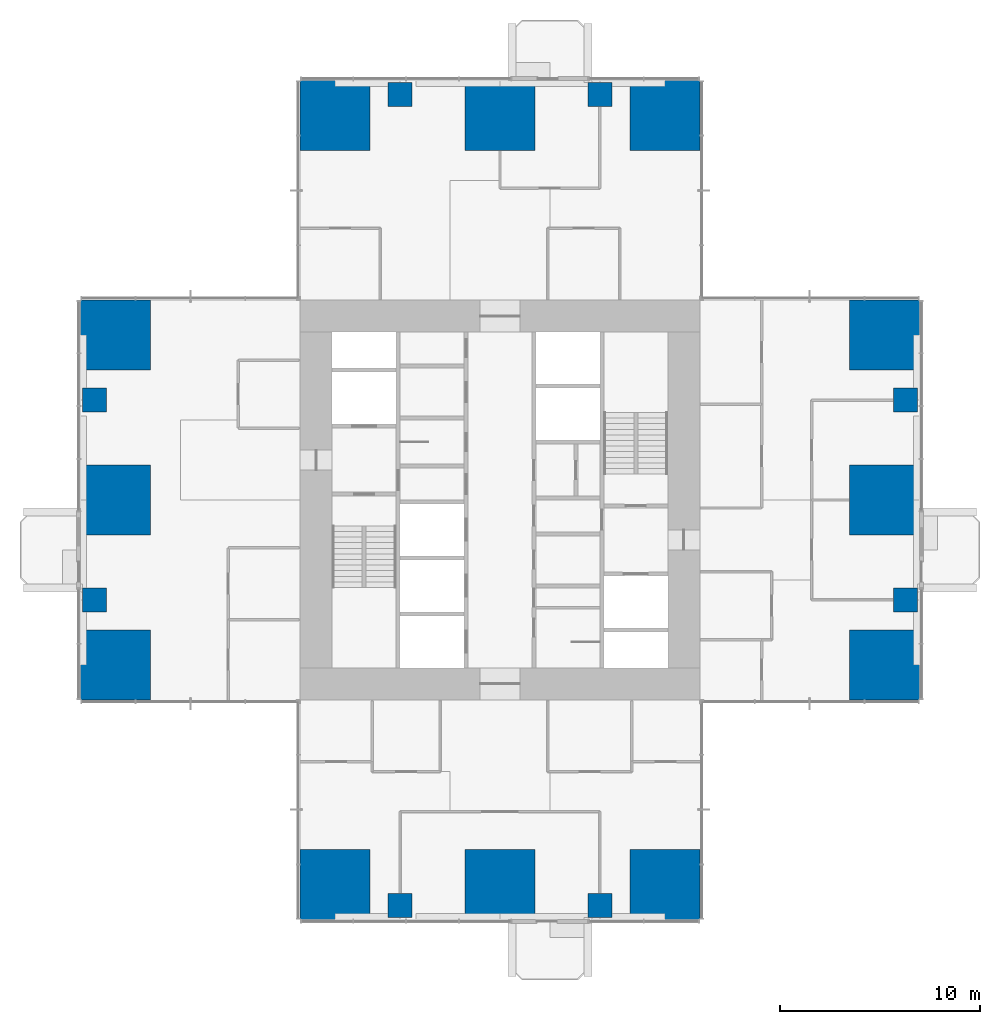
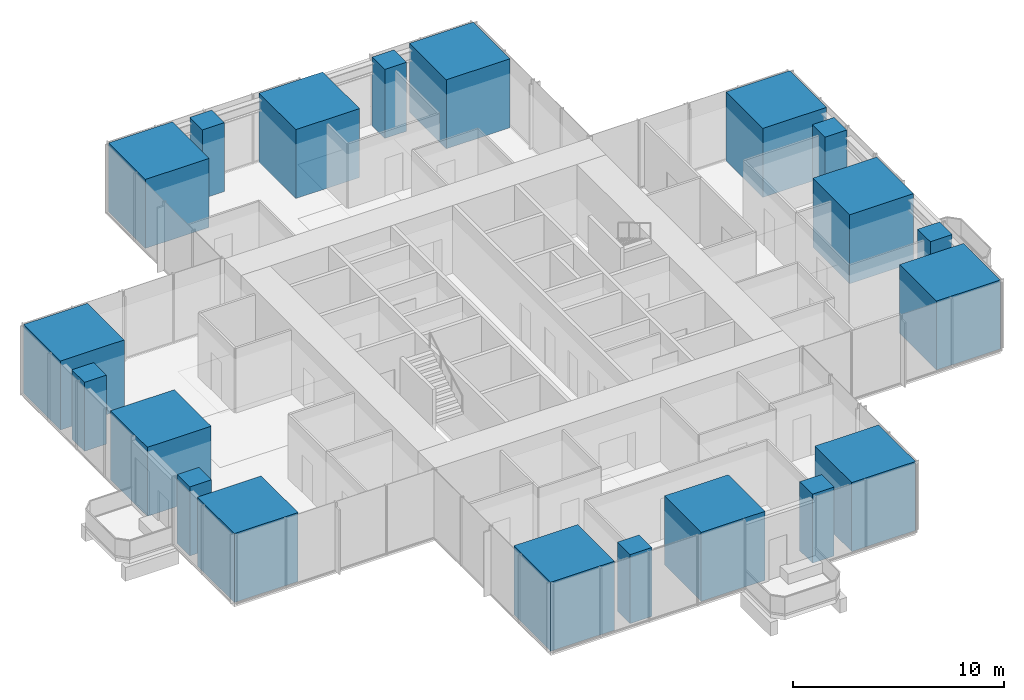
# One storey, part 1 of 13: 20 columns.
"""IFC4 building model written with IfcOpenShell, lengths in metres."""

from ifc_helpers import new_model, si_unit, direction, frame, origin, origin_2d, place, context, subcontext, project, spatial, rectangle, extrude, material, material_profile, profile_set, type_object, element, save


model = new_model("IFC4")

# Units and contexts
model_context = context("Model", 3, precision=1e-05, world=origin(), true_north=direction((0.0, 1.0)))
body_context = subcontext(model_context, "Body", "Model", "MODEL_VIEW")
ifc_project = project(units=[si_unit("LENGTHUNIT", "METRE"), si_unit("AREAUNIT", "SQUARE_METRE"), si_unit("VOLUMEUNIT", "CUBIC_METRE"), si_unit("PLANEANGLEUNIT", "RADIAN"), si_unit("MASSUNIT", "GRAM", prefix="KILO")], contexts=[model_context])

# Site, building, storey
site_placement = place(None, origin())
site = spatial("IfcSite", under=ifc_project, at=site_placement, CompositionType="ELEMENT")
building_placement = place(site_placement, origin())
building = spatial("IfcBuilding", under=site, at=building_placement, Name="Svetlomir Tower", CompositionType="ELEMENT")
storey_placement = place(building_placement, frame((0.0, 0.0, 96.5)))
storey = spatial("IfcBuildingStorey", under=building, at=storey_placement, Name="L22", CompositionType="ELEMENT", Elevation=96.5)

# Columns
ifc_material_1 = material(Name="Concrete C60/75", Category="concrete")
ifc_material_profile_1 = material_profile(ifc_material_1, rectangle(XDim=1.199951171875, YDim=1.199951171875, at=origin_2d()), Name="RC 1200x1200")
ifc_profile_set_1 = profile_set([ifc_material_profile_1], Name="Concrete C60/75")
column_type_1 = type_object("IfcColumnType", Name="COLUMN RC 1200x1200", PredefinedType="COLUMN", material=ifc_profile_set_1)
for number, where, z_axis, x_axis, name in (
    (1, (16.0, 0.699951171875, 0.0), (0.0, 0.0, 1.0), (1.0, 0.0, 0.0), "Column 16/0 L22"),
    (2, (26.0, 0.699951171875, 0.0), (0.0, 0.0, 1.0), (1.0, 0.0, 0.0), "Column 26/0 L22"),
    (3, (0.699951171875, 16.0, 0.0), (0.0, 0.0, 1.0), (1.0, 0.0, 0.0), "Column 0/16 L22"),
    (4, (41.300048828125, 16.0, 0.0), (0.0, 0.0, 1.0), (1.0, 0.0, 0.0), "Column 42/16 L22"),
    (5, (0.699951171875, 26.0, 0.0), (0.0, 0.0, 1.0), (1.0, 0.0, 0.0), "Column 0/26 L22"),
    (6, (41.300048828125, 26.0, 0.0), (0.0, 0.0, 1.0), (1.0, 0.0, 0.0), "Column 42/26 L22"),
    (7, (16.0, 41.300048828125, 0.0), (0.0, 0.0, 1.0), (1.0, 0.0, 0.0), "Column 16/42 L22"),
    (8, (26.0, 41.300048828125, 0.0), (0.0, 0.0, 1.0), (1.0, 0.0, 0.0), "Column 26/42 L22"),
):
    element("IfcColumn", number, at=place(storey_placement, frame(where, z_axis=z_axis, x_axis=x_axis)), inside=storey, type_object=column_type_1, Name=name, PredefinedType="COLUMN", context=body_context, shape_type="SweptSolid", body=[
        extrude(rectangle(XDim=1.199951171875, YDim=1.199951171875, at=origin_2d()), origin(), (0.0, 0.0, 1.0), 4.0),
    ])
ifc_material_2 = material(Name="Concrete C60/75", Category="concrete")
ifc_material_profile_2 = material_profile(ifc_material_2, rectangle(XDim=3.5, YDim=3.5, at=origin_2d()), Name="RC 3500x3500")
ifc_profile_set_2 = profile_set([ifc_material_profile_2], Name="Concrete C60/75")
column_type_2 = type_object("IfcColumnType", Name="COLUMN RC 3500x3500", PredefinedType="COLUMN", material=ifc_profile_set_2)
for number, where, z_axis, x_axis, name in (
    (9, (12.75, 1.75, 0.0), (0.0, 0.0, 1.0), (1.0, 0.0, 0.0), "Column 11/0 L22"),
    (10, (21.0, 1.75, 0.0), (0.0, 0.0, 1.0), (1.0, 0.0, 0.0), "Column 21/0 L22"),
    (11, (29.25, 1.75, 0.0), (0.0, 0.0, 1.0), (1.0, 0.0, 0.0), "Column 31/0 L22"),
    (12, (1.75, 12.75, 0.0), (0.0, 0.0, 1.0), (1.0, 0.0, 0.0), "Column 0/11 L22"),
    (13, (40.25, 12.75, 0.0), (0.0, 0.0, 1.0), (1.0, 0.0, 0.0), "Column 42/11 L22"),
    (14, (1.75, 21.0, 0.0), (0.0, 0.0, 1.0), (1.0, 0.0, 0.0), "Column 0/21 L22"),
    (15, (40.25, 21.0, 0.0), (0.0, 0.0, 1.0), (1.0, 0.0, 0.0), "Column 42/21 L22"),
    (16, (1.75, 29.25, 0.0), (0.0, 0.0, 1.0), (1.0, 0.0, 0.0), "Column 0/31 L22"),
    (17, (40.25, 29.25, 0.0), (0.0, 0.0, 1.0), (1.0, 0.0, 0.0), "Column 42/31 L22"),
    (18, (12.75, 40.25, 0.0), (0.0, 0.0, 1.0), (1.0, 0.0, 0.0), "Column 11/42 L22"),
    (19, (21.0, 40.25, 0.0), (0.0, 0.0, 1.0), (1.0, 0.0, 0.0), "Column 21/42 L22"),
    (20, (29.25, 40.25, 0.0), (0.0, 0.0, 1.0), (1.0, 0.0, 0.0), "Column 31/42 L22"),
):
    element("IfcColumn", number, at=place(storey_placement, frame(where, z_axis=z_axis, x_axis=x_axis)), inside=storey, type_object=column_type_2, Name=name, PredefinedType="COLUMN", context=body_context, shape_type="SweptSolid", body=[
        extrude(rectangle(XDim=3.5, YDim=3.5, at=origin_2d()), origin(), (0.0, 0.0, 1.0), 4.0),
    ])

save(model, "model.ifc")
